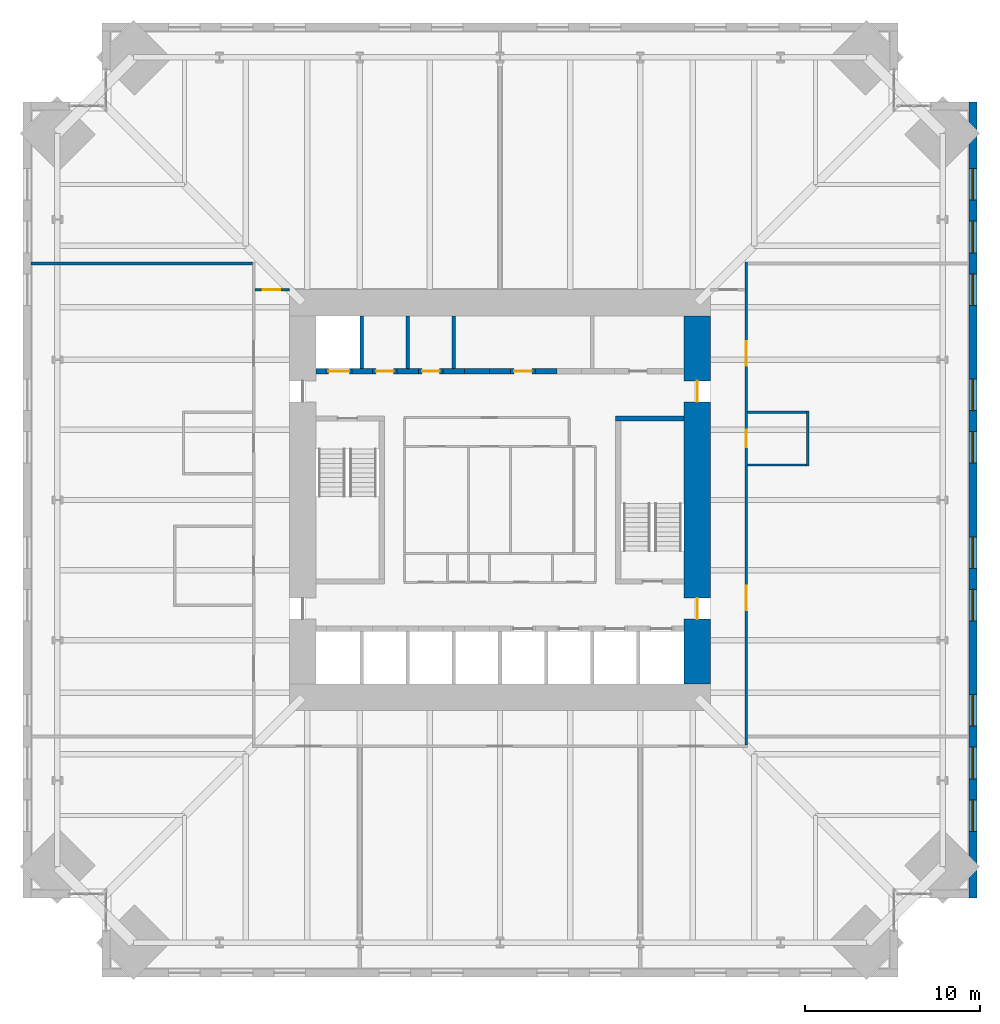
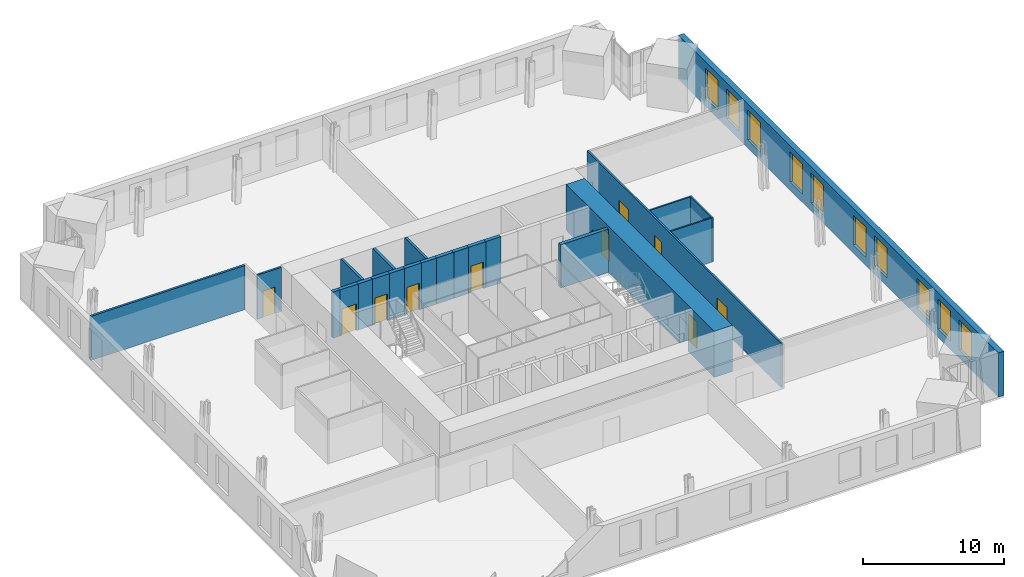
# One storey, part 14 of 16: 23 walls, 10 doors, 10 windows, 20 openings.
"""IFC4 building model written with IfcOpenShell, lengths in metres."""

from ifc_helpers import new_model, si_unit, direction, frame, frame_2d, origin, place, context, subcontext, project, spatial, rectangle, extrude, material, layer, layer_set, type_object, element, fill, save


model = new_model("IFC4")

# Units and contexts
model_context = context("Model", 3, precision=1e-05, world=origin(), true_north=direction((0.0, 1.0)))
body_context = subcontext(model_context, "Body", "Model", "MODEL_VIEW")
ifc_project = project(units=[si_unit("LENGTHUNIT", "METRE"), si_unit("AREAUNIT", "SQUARE_METRE"), si_unit("VOLUMEUNIT", "CUBIC_METRE"), si_unit("PLANEANGLEUNIT", "RADIAN"), si_unit("MASSUNIT", "GRAM", prefix="KILO")], contexts=[model_context])

# Site, building, storey
site_placement = place(None, origin())
site = spatial("IfcSite", under=ifc_project, at=site_placement, CompositionType="ELEMENT")
building_placement = place(site_placement, origin())
building = spatial("IfcBuilding", under=site, at=building_placement, Name="Peilmerk Tower", CompositionType="ELEMENT")
storey_placement = place(building_placement, frame((0.0, 0.0, 139.800048828125)))
storey = spatial("IfcBuildingStorey", under=building, at=storey_placement, Name="L28", CompositionType="ELEMENT", Elevation=139.800048828125)

# Wall, openings, windows
ifc_material_1 = material(Name="Precast concrete C45/55, board-marked finish", Category="concrete")
ifc_layer_1 = layer(ifc_material_1, 0.449951171875)
ifc_layer_set_1 = layer_set([ifc_layer_1], Name="Precast concrete C45/55, board-marked finish")
wall_type_1 = type_object("IfcWallType", Name="EW1 450 precast concrete facade wall, board-marked", PredefinedType="SOLIDWALL", material=ifc_layer_set_1)
wall_1_placement = place(storey_placement, frame((26.97509765625, -22.699951171875, 0.0), z_axis=(0.0, 0.0, 1.0), x_axis=(0.0, 1.0, 0.0)))
wall_1 = element("IfcWall", 1, at=wall_1_placement, inside=storey, type_object=wall_type_1, Name="Facade wall E L28", PredefinedType="SOLIDWALL", context=body_context, shape_type="SweptSolid", body=[
    extrude(rectangle(XDim=45.39990234375, YDim=0.449951171875, at=frame_2d((22.699951171875, 0.0))), origin(), (0.0, 0.0, 1.0), 3.829833984375),
])
opening_1_placement = place(wall_1_placement, frame((3.800048828125, 0.0, 0.699951171875)))
opening_1 = element("IfcOpeningElement", 2, at=opening_1_placement, cuts=wall_1, Name="Opening W1", PredefinedType="OPENING", context=body_context, shape_type="SweptSolid", body=[
    extrude(rectangle(XDim=1.800048828125, YDim=2.60009765625, at=frame_2d((0.89990234375, 1.300048828125))), frame((0.0, 0.23486328125, 0.0), z_axis=(0.0, -1.0, 0.0), x_axis=(1.0, 0.0, 0.0)), (0.0, 0.0, 1.0), 0.469970703125),
])
opening_2_placement = place(wall_1_placement, frame((6.800048828125, 0.0, 0.699951171875)))
opening_2 = element("IfcOpeningElement", 3, at=opening_2_placement, cuts=wall_1, Name="Opening W1", PredefinedType="OPENING", context=body_context, shape_type="SweptSolid", body=[
    extrude(rectangle(XDim=1.800048828125, YDim=2.60009765625, at=frame_2d((0.89990234375, 1.300048828125))), frame((0.0, 0.23486328125, 0.0), z_axis=(0.0, -1.0, 0.0), x_axis=(1.0, 0.0, 0.0)), (0.0, 0.0, 1.0), 0.469970703125),
])
opening_3_placement = place(wall_1_placement, frame((9.800048828125, 0.0, 0.699951171875)))
opening_3 = element("IfcOpeningElement", 4, at=opening_3_placement, cuts=wall_1, Name="Opening W1", PredefinedType="OPENING", context=body_context, shape_type="SweptSolid", body=[
    extrude(rectangle(XDim=1.800048828125, YDim=2.60009765625, at=frame_2d((0.89990234375, 1.300048828125))), frame((0.0, 0.23486328125, 0.0), z_axis=(0.0, -1.0, 0.0), x_axis=(1.0, 0.0, 0.0)), (0.0, 0.0, 1.0), 0.469970703125),
])
opening_4_placement = place(wall_1_placement, frame((15.800048828125, 0.0, 0.699951171875)))
opening_4 = element("IfcOpeningElement", 5, at=opening_4_placement, cuts=wall_1, Name="Opening W1", PredefinedType="OPENING", context=body_context, shape_type="SweptSolid", body=[
    extrude(rectangle(XDim=1.800048828125, YDim=2.60009765625, at=frame_2d((0.89990234375, 1.300048828125))), frame((0.0, 0.23486328125, 0.0), z_axis=(0.0, -1.0, 0.0), x_axis=(1.0, 0.0, 0.0)), (0.0, 0.0, 1.0), 0.469970703125),
])
opening_5_placement = place(wall_1_placement, frame((18.800048828125, 0.0, 0.699951171875)))
opening_5 = element("IfcOpeningElement", 6, at=opening_5_placement, cuts=wall_1, Name="Opening W1", PredefinedType="OPENING", context=body_context, shape_type="SweptSolid", body=[
    extrude(rectangle(XDim=1.800048828125, YDim=2.60009765625, at=frame_2d((0.89990234375, 1.300048828125))), frame((0.0, 0.23486328125, 0.0), z_axis=(0.0, -1.0, 0.0), x_axis=(1.0, 0.0, 0.0)), (0.0, 0.0, 1.0), 0.469970703125),
])
opening_6_placement = place(wall_1_placement, frame((24.800048828125, 0.0, 0.699951171875)))
opening_6 = element("IfcOpeningElement", 7, at=opening_6_placement, cuts=wall_1, Name="Opening W1", PredefinedType="OPENING", context=body_context, shape_type="SweptSolid", body=[
    extrude(rectangle(XDim=1.800048828125, YDim=2.60009765625, at=frame_2d((0.89990234375, 1.300048828125))), frame((0.0, 0.23486328125, 0.0), z_axis=(0.0, -1.0, 0.0), x_axis=(1.0, 0.0, 0.0)), (0.0, 0.0, 1.0), 0.469970703125),
])
opening_7_placement = place(wall_1_placement, frame((27.800048828125, 0.0, 0.699951171875)))
opening_7 = element("IfcOpeningElement", 8, at=opening_7_placement, cuts=wall_1, Name="Opening W1", PredefinedType="OPENING", context=body_context, shape_type="SweptSolid", body=[
    extrude(rectangle(XDim=1.800048828125, YDim=2.60009765625, at=frame_2d((0.89990234375, 1.300048828125))), frame((0.0, 0.23486328125, 0.0), z_axis=(0.0, -1.0, 0.0), x_axis=(1.0, 0.0, 0.0)), (0.0, 0.0, 1.0), 0.469970703125),
])
opening_8_placement = place(wall_1_placement, frame((33.800048828125, 0.0, 0.699951171875)))
opening_8 = element("IfcOpeningElement", 9, at=opening_8_placement, cuts=wall_1, Name="Opening W1", PredefinedType="OPENING", context=body_context, shape_type="SweptSolid", body=[
    extrude(rectangle(XDim=1.800048828125, YDim=2.60009765625, at=frame_2d((0.89990234375, 1.300048828125))), frame((0.0, 0.23486328125, 0.0), z_axis=(0.0, -1.0, 0.0), x_axis=(1.0, 0.0, 0.0)), (0.0, 0.0, 1.0), 0.469970703125),
])
opening_9_placement = place(wall_1_placement, frame((36.800048828125, 0.0, 0.699951171875)))
opening_9 = element("IfcOpeningElement", 10, at=opening_9_placement, cuts=wall_1, Name="Opening W1", PredefinedType="OPENING", context=body_context, shape_type="SweptSolid", body=[
    extrude(rectangle(XDim=1.800048828125, YDim=2.60009765625, at=frame_2d((0.89990234375, 1.300048828125))), frame((0.0, 0.23486328125, 0.0), z_axis=(0.0, -1.0, 0.0), x_axis=(1.0, 0.0, 0.0)), (0.0, 0.0, 1.0), 0.469970703125),
])
opening_10_placement = place(wall_1_placement, frame((39.800048828125, 0.0, 0.699951171875)))
opening_10 = element("IfcOpeningElement", 11, at=opening_10_placement, cuts=wall_1, Name="Opening W1", PredefinedType="OPENING", context=body_context, shape_type="SweptSolid", body=[
    extrude(rectangle(XDim=1.800048828125, YDim=2.60009765625, at=frame_2d((0.89990234375, 1.300048828125))), frame((0.0, 0.23486328125, 0.0), z_axis=(0.0, -1.0, 0.0), x_axis=(1.0, 0.0, 0.0)), (0.0, 0.0, 1.0), 0.469970703125),
])
ifc_material_2 = material(Name="Aluminium frame, clear double glazing", Category="aluminium")
window_type = type_object("IfcWindowType", Name="W1 1800x2600 office window", PartitioningType="SINGLE_PANEL", PredefinedType="WINDOW", material=ifc_material_2)
window_1_placement = place(opening_1_placement, origin())
window_1 = element("IfcWindow", 12, at=window_1_placement, inside=storey, type_object=window_type, Name="Window W1 L28", OverallHeight=2.60009765625, OverallWidth=1.800048828125, PartitioningType="SINGLE_PANEL", PredefinedType="WINDOW", context=body_context, shape_type="SweptSolid", body=[
    extrude(rectangle(XDim=1.800048828125, YDim=2.60009765625, at=frame_2d((0.89990234375, 1.300048828125))), frame((0.0, 0.030029296875, 0.0), z_axis=(0.0, -1.0, 0.0), x_axis=(1.0, 0.0, 0.0)), (0.0, 0.0, 1.0), 0.06005859375),
])
fill(opening_1, window_1)
window_2_placement = place(opening_2_placement, origin())
window_2 = element("IfcWindow", 13, at=window_2_placement, inside=storey, type_object=window_type, Name="Window W1 L28", OverallHeight=2.60009765625, OverallWidth=1.800048828125, PartitioningType="SINGLE_PANEL", PredefinedType="WINDOW", context=body_context, shape_type="SweptSolid", body=[
    extrude(rectangle(XDim=1.800048828125, YDim=2.60009765625, at=frame_2d((0.89990234375, 1.300048828125))), frame((0.0, 0.030029296875, 0.0), z_axis=(0.0, -1.0, 0.0), x_axis=(1.0, 0.0, 0.0)), (0.0, 0.0, 1.0), 0.06005859375),
])
fill(opening_2, window_2)
window_3_placement = place(opening_3_placement, origin())
window_3 = element("IfcWindow", 14, at=window_3_placement, inside=storey, type_object=window_type, Name="Window W1 L28", OverallHeight=2.60009765625, OverallWidth=1.800048828125, PartitioningType="SINGLE_PANEL", PredefinedType="WINDOW", context=body_context, shape_type="SweptSolid", body=[
    extrude(rectangle(XDim=1.800048828125, YDim=2.60009765625, at=frame_2d((0.89990234375, 1.300048828125))), frame((0.0, 0.030029296875, 0.0), z_axis=(0.0, -1.0, 0.0), x_axis=(1.0, 0.0, 0.0)), (0.0, 0.0, 1.0), 0.06005859375),
])
fill(opening_3, window_3)
window_4_placement = place(opening_4_placement, origin())
window_4 = element("IfcWindow", 15, at=window_4_placement, inside=storey, type_object=window_type, Name="Window W1 L28", OverallHeight=2.60009765625, OverallWidth=1.800048828125, PartitioningType="SINGLE_PANEL", PredefinedType="WINDOW", context=body_context, shape_type="SweptSolid", body=[
    extrude(rectangle(XDim=1.800048828125, YDim=2.60009765625, at=frame_2d((0.89990234375, 1.300048828125))), frame((0.0, 0.030029296875, 0.0), z_axis=(0.0, -1.0, 0.0), x_axis=(1.0, 0.0, 0.0)), (0.0, 0.0, 1.0), 0.06005859375),
])
fill(opening_4, window_4)
window_5_placement = place(opening_5_placement, origin())
window_5 = element("IfcWindow", 16, at=window_5_placement, inside=storey, type_object=window_type, Name="Window W1 L28", OverallHeight=2.60009765625, OverallWidth=1.800048828125, PartitioningType="SINGLE_PANEL", PredefinedType="WINDOW", context=body_context, shape_type="SweptSolid", body=[
    extrude(rectangle(XDim=1.800048828125, YDim=2.60009765625, at=frame_2d((0.89990234375, 1.300048828125))), frame((0.0, 0.030029296875, 0.0), z_axis=(0.0, -1.0, 0.0), x_axis=(1.0, 0.0, 0.0)), (0.0, 0.0, 1.0), 0.06005859375),
])
fill(opening_5, window_5)
window_6_placement = place(opening_6_placement, origin())
window_6 = element("IfcWindow", 17, at=window_6_placement, inside=storey, type_object=window_type, Name="Window W1 L28", OverallHeight=2.60009765625, OverallWidth=1.800048828125, PartitioningType="SINGLE_PANEL", PredefinedType="WINDOW", context=body_context, shape_type="SweptSolid", body=[
    extrude(rectangle(XDim=1.800048828125, YDim=2.60009765625, at=frame_2d((0.89990234375, 1.300048828125))), frame((0.0, 0.030029296875, 0.0), z_axis=(0.0, -1.0, 0.0), x_axis=(1.0, 0.0, 0.0)), (0.0, 0.0, 1.0), 0.06005859375),
])
fill(opening_6, window_6)
window_7_placement = place(opening_7_placement, origin())
window_7 = element("IfcWindow", 18, at=window_7_placement, inside=storey, type_object=window_type, Name="Window W1 L28", OverallHeight=2.60009765625, OverallWidth=1.800048828125, PartitioningType="SINGLE_PANEL", PredefinedType="WINDOW", context=body_context, shape_type="SweptSolid", body=[
    extrude(rectangle(XDim=1.800048828125, YDim=2.60009765625, at=frame_2d((0.89990234375, 1.300048828125))), frame((0.0, 0.030029296875, 0.0), z_axis=(0.0, -1.0, 0.0), x_axis=(1.0, 0.0, 0.0)), (0.0, 0.0, 1.0), 0.06005859375),
])
fill(opening_7, window_7)
window_8_placement = place(opening_8_placement, origin())
window_8 = element("IfcWindow", 19, at=window_8_placement, inside=storey, type_object=window_type, Name="Window W1 L28", OverallHeight=2.60009765625, OverallWidth=1.800048828125, PartitioningType="SINGLE_PANEL", PredefinedType="WINDOW", context=body_context, shape_type="SweptSolid", body=[
    extrude(rectangle(XDim=1.800048828125, YDim=2.60009765625, at=frame_2d((0.89990234375, 1.300048828125))), frame((0.0, 0.030029296875, 0.0), z_axis=(0.0, -1.0, 0.0), x_axis=(1.0, 0.0, 0.0)), (0.0, 0.0, 1.0), 0.06005859375),
])
fill(opening_8, window_8)
window_9_placement = place(opening_9_placement, origin())
window_9 = element("IfcWindow", 20, at=window_9_placement, inside=storey, type_object=window_type, Name="Window W1 L28", OverallHeight=2.60009765625, OverallWidth=1.800048828125, PartitioningType="SINGLE_PANEL", PredefinedType="WINDOW", context=body_context, shape_type="SweptSolid", body=[
    extrude(rectangle(XDim=1.800048828125, YDim=2.60009765625, at=frame_2d((0.89990234375, 1.300048828125))), frame((0.0, 0.030029296875, 0.0), z_axis=(0.0, -1.0, 0.0), x_axis=(1.0, 0.0, 0.0)), (0.0, 0.0, 1.0), 0.06005859375),
])
fill(opening_9, window_9)
window_10_placement = place(opening_10_placement, origin())
window_10 = element("IfcWindow", 21, at=window_10_placement, inside=storey, type_object=window_type, Name="Window W1 L28", OverallHeight=2.60009765625, OverallWidth=1.800048828125, PartitioningType="SINGLE_PANEL", PredefinedType="WINDOW", context=body_context, shape_type="SweptSolid", body=[
    extrude(rectangle(XDim=1.800048828125, YDim=2.60009765625, at=frame_2d((0.89990234375, 1.300048828125))), frame((0.0, 0.030029296875, 0.0), z_axis=(0.0, -1.0, 0.0), x_axis=(1.0, 0.0, 0.0)), (0.0, 0.0, 1.0), 0.06005859375),
])
fill(opening_10, window_10)

# Wall, openings, doors
ifc_material_3 = material(Name="Calcium silicate block", Category="masonry")
ifc_layer_2 = layer(ifc_material_3, 0.14990234375)
ifc_layer_set_2 = layer_set([ifc_layer_2], Name="Calcium silicate block")
wall_type_2 = type_object("IfcWallType", Name="IW1 150 corridor partition, EI 60", PredefinedType="PARTITIONING", material=ifc_layer_set_2)
wall_2_placement = place(storey_placement, frame((14.050048828125, -13.97509765625, 0.0), z_axis=(0.0, 0.0, 1.0), x_axis=(0.0, 1.0, 0.0)))
wall_2 = element("IfcWall", 22, at=wall_2_placement, inside=storey, type_object=wall_type_2, Name="Corridor wall E L28", PredefinedType="PARTITIONING", context=body_context, shape_type="SweptSolid", body=[
    extrude(rectangle(XDim=27.550048828125, YDim=0.14990234375, at=frame_2d((13.77490234375, 0.0))), origin(), (0.0, 0.0, 1.0), 3.829833984375),
])
opening_11_placement = place(wall_2_placement, frame((7.675048828125, 0.0, 0.0)))
opening_11 = element("IfcOpeningElement", 23, at=opening_11_placement, cuts=wall_2, Name="Opening D8", PredefinedType="OPENING", context=body_context, shape_type="SweptSolid", body=[
    extrude(rectangle(XDim=1.39990234375, YDim=2.300048828125, at=frame_2d((0.699951171875, 1.14990234375))), frame((0.0, 0.0849609375, 0.0), z_axis=(0.0, -1.0, 0.0), x_axis=(1.0, 0.0, 0.0)), (0.0, 0.0, 1.0), 0.169921875),
])
opening_12_placement = place(wall_2_placement, frame((21.625, 0.0, 0.0)))
opening_12 = element("IfcOpeningElement", 24, at=opening_12_placement, cuts=wall_2, Name="Opening D8", PredefinedType="OPENING", context=body_context, shape_type="SweptSolid", body=[
    extrude(rectangle(XDim=1.39990234375, YDim=2.300048828125, at=frame_2d((0.699951171875, 1.14990234375))), frame((0.0, 0.0849609375, 0.0), z_axis=(0.0, -1.0, 0.0), x_axis=(1.0, 0.0, 0.0)), (0.0, 0.0, 1.0), 0.169921875),
])
opening_13_placement = place(wall_2_placement, frame((16.97509765625, 0.0, 0.0)))
opening_13 = element("IfcOpeningElement", 25, at=opening_13_placement, cuts=wall_2, Name="Opening D1", PredefinedType="OPENING", context=body_context, shape_type="SweptSolid", body=[
    extrude(rectangle(XDim=1.0, YDim=2.300048828125, at=frame_2d((0.5, 1.14990234375))), frame((0.0, 0.0849609375, 0.0), z_axis=(0.0, -1.0, 0.0), x_axis=(1.0, 0.0, 0.0)), (0.0, 0.0, 1.0), 0.169921875),
])
ifc_material_4 = material(Name="Timber door in steel frame", Category="steel")
door_type_1 = type_object("IfcDoorType", Name="D1 1000x2300 room door, EI2 30", OperationType="SINGLE_SWING_LEFT", PredefinedType="DOOR", material=ifc_material_4)
door_1_placement = place(opening_13_placement, frame((1.0, 0.0, 0.0), z_axis=(0.0, 0.0, 1.0), x_axis=(-1.0, 0.0, 0.0)))
door_1 = element("IfcDoor", 26, at=door_1_placement, inside=storey, type_object=door_type_1, Name="Door Focus room L28", OperationType="SINGLE_SWING_LEFT", OverallHeight=2.300048828125, OverallWidth=1.0, PredefinedType="DOOR", context=body_context, shape_type="SweptSolid", body=[
    extrude(rectangle(XDim=1.0, YDim=2.300048828125, at=frame_2d((0.5, 1.14990234375))), frame((0.0, 0.02490234375, 0.0), z_axis=(0.0, -1.0, 0.0), x_axis=(1.0, 0.0, 0.0)), (0.0, 0.0, 1.0), 0.050048828125),
])
fill(opening_13, door_1)
door_type_2 = type_object("IfcDoorType", Name="D8 1400x2300 leaf-and-a-half door, EI2 30", OperationType="DOUBLE_DOOR_SINGLE_SWING", PredefinedType="DOOR", material=ifc_material_4)
door_2_placement = place(opening_11_placement, frame((1.39990234375, 0.0, 0.0), z_axis=(0.0, 0.0, 1.0), x_axis=(-1.0, 0.0, 0.0)))
door_2 = element("IfcDoor", 27, at=door_2_placement, inside=storey, type_object=door_type_2, Name="Door Tenant suite L28", OperationType="DOUBLE_DOOR_SINGLE_SWING", OverallHeight=2.300048828125, OverallWidth=1.39990234375, PredefinedType="DOOR", context=body_context, shape_type="SweptSolid", body=[
    extrude(rectangle(XDim=1.39990234375, YDim=2.300048828125, at=frame_2d((0.699951171875, 1.14990234375))), frame((0.0, 0.02490234375, 0.0), z_axis=(0.0, -1.0, 0.0), x_axis=(1.0, 0.0, 0.0)), (0.0, 0.0, 1.0), 0.050048828125),
])
fill(opening_11, door_2)
door_3_placement = place(opening_12_placement, frame((1.39990234375, 0.0, 0.0), z_axis=(0.0, 0.0, 1.0), x_axis=(-1.0, 0.0, 0.0)))
door_3 = element("IfcDoor", 28, at=door_3_placement, inside=storey, type_object=door_type_2, Name="Door Tenant suite L28", OperationType="DOUBLE_DOOR_SINGLE_SWING", OverallHeight=2.300048828125, OverallWidth=1.39990234375, PredefinedType="DOOR", context=body_context, shape_type="SweptSolid", body=[
    extrude(rectangle(XDim=1.39990234375, YDim=2.300048828125, at=frame_2d((0.699951171875, 1.14990234375))), frame((0.0, 0.02490234375, 0.0), z_axis=(0.0, -1.0, 0.0), x_axis=(1.0, 0.0, 0.0)), (0.0, 0.0, 1.0), 0.050048828125),
])
fill(opening_12, door_3)

# Wall, opening, door
wall_3_placement = place(storey_placement, frame((-13.97509765625, 12.0, 0.0), z_axis=(0.0, 0.0, 1.0), x_axis=(1.0, 0.0, 0.0)))
wall_3 = element("IfcWall", 29, at=wall_3_placement, inside=storey, type_object=wall_type_2, Name="Corridor wall NW L28", PredefinedType="PARTITIONING", context=body_context, shape_type="SweptSolid", body=[
    extrude(rectangle(XDim=1.97509765625, YDim=0.14990234375, at=frame_2d((0.987548828125, 0.0))), origin(), (0.0, 0.0, 1.0), 3.829833984375),
])
opening_14_placement = place(wall_3_placement, frame((0.449951171875, 0.0, 0.0)))
opening_14 = element("IfcOpeningElement", 30, at=opening_14_placement, cuts=wall_3, Name="Opening D1", PredefinedType="OPENING", context=body_context, shape_type="SweptSolid", body=[
    extrude(rectangle(XDim=1.0, YDim=2.300048828125, at=frame_2d((0.5, 1.14990234375))), frame((0.0, 0.0849609375, 0.0), z_axis=(0.0, -1.0, 0.0), x_axis=(1.0, 0.0, 0.0)), (0.0, 0.0, 1.0), 0.169921875),
])
door_4_placement = place(opening_14_placement, origin())
door_4 = element("IfcDoor", 31, at=door_4_placement, inside=storey, type_object=door_type_1, Name="Door Tenant suite L28", OperationType="SINGLE_SWING_LEFT", OverallHeight=2.300048828125, OverallWidth=1.0, PredefinedType="DOOR", context=body_context, shape_type="SweptSolid", body=[
    extrude(rectangle(XDim=1.0, YDim=2.300048828125, at=frame_2d((0.5, 1.14990234375))), frame((0.0, 0.02490234375, 0.0), z_axis=(0.0, -1.0, 0.0), x_axis=(1.0, 0.0, 0.0)), (0.0, 0.0, 1.0), 0.050048828125),
])
fill(opening_14, door_4)

# Walls
ifc_material_5 = material(Name="Concrete C35/45", Category="concrete")
ifc_layer_3 = layer(ifc_material_5, 0.300048828125)
ifc_layer_set_3 = layer_set([ifc_layer_3], Name="Concrete C35/45")
wall_type_3 = type_object("IfcWallType", Name="IW3 300 concrete stair enclosure wall, EI 120", PredefinedType="SOLIDWALL", material=ifc_layer_set_3)
wall_4_placement = place(storey_placement, frame((6.60009765625, 4.64990234375, 0.0), z_axis=(0.0, 0.0, 1.0), x_axis=(1.0, 0.0, 0.0)))
element("IfcWall", 32, at=wall_4_placement, inside=storey, type_object=wall_type_3, Name="Stair 2 enclosure L28", PredefinedType="SOLIDWALL", context=body_context, shape_type="SweptSolid", body=[
    extrude(rectangle(XDim=3.89990234375, YDim=0.300048828125, at=frame_2d((1.949951171875, 0.0))), origin(), (0.0, 0.0, 1.0), 3.75),
])
ifc_material_6 = material(Name="Plasterboard on steel studs, double boarded with mineral wool", Category="steel")
ifc_layer_4 = layer(ifc_material_6, 0.125)
ifc_layer_set_4 = layer_set([ifc_layer_4], Name="Plasterboard on steel studs, double boarded with mineral wool")
wall_type_4 = type_object("IfcWallType", Name="IW7 125 acoustic partition, EI 30", PredefinedType="PARTITIONING", material=ifc_layer_set_4)
wall_5_placement = place(storey_placement, frame((17.550048828125, 1.9375, 0.0), z_axis=(0.0, 0.0, 1.0), x_axis=(0.0, 1.0, 0.0)))
element("IfcWall", 33, at=wall_5_placement, inside=storey, type_object=wall_type_4, Name="Acoustic partition Focus room L28", PredefinedType="PARTITIONING", context=body_context, shape_type="SweptSolid", body=[
    extrude(rectangle(XDim=3.125, YDim=0.125, at=frame_2d((1.5625, 0.0))), origin(), (0.0, 0.0, 1.0), 3.829833984375),
])
for number, where, z_axis, x_axis, name in (
    (34, (14.125, 2.0, 0.0), (0.0, 0.0, 1.0), (1.0, 0.0, 0.0), "Acoustic partition Focus room L28"),
    (35, (14.125, 5.0, 0.0), (0.0, 0.0, 1.0), (1.0, 0.0, 0.0), "Acoustic partition Focus room L28"),
):
    element("IfcWall", number, at=place(storey_placement, frame(where, z_axis=z_axis, x_axis=x_axis)), inside=storey, type_object=wall_type_4, Name=name, PredefinedType="PARTITIONING", context=body_context, shape_type="SweptSolid", body=[
        extrude(rectangle(XDim=3.362548828125, YDim=0.125, at=frame_2d((1.68115234375, 0.0))), origin(), (0.0, 0.0, 1.0), 3.829833984375),
    ])
ifc_layer_5 = layer(ifc_material_3, 0.175048828125)
ifc_layer_set_5 = layer_set([ifc_layer_5], Name="Calcium silicate block")
wall_type_5 = type_object("IfcWallType", Name="IW8 175 tenant separating wall, EI 60", PredefinedType="PARTITIONING", material=ifc_layer_set_5)
wall_6_placement = place(storey_placement, frame((-26.75, 13.5, 0.0), z_axis=(0.0, 0.0, 1.0), x_axis=(1.0, 0.0, 0.0)))
element("IfcWall", 36, at=wall_6_placement, inside=storey, type_object=wall_type_5, Name="Tenant separating wall NW L28", PredefinedType="PARTITIONING", context=body_context, shape_type="SweptSolid", body=[
    extrude(rectangle(XDim=12.625, YDim=0.175048828125, at=frame_2d((6.3125, 0.0))), origin(), (0.0, 0.0, 1.0), 3.829833984375),
])
ifc_layer_6 = layer(ifc_material_3, 0.199951171875)
ifc_layer_set_6 = layer_set([ifc_layer_6], Name="Calcium silicate block")
wall_type_6 = type_object("IfcWallType", Name="SH1 200 shaft dividing wall, EI 120", PredefinedType="PARTITIONING", material=ifc_layer_set_6)
for number, where, z_axis, x_axis, name in (
    (37, (-7.875, 7.5, 0.0), (0.0, 0.0, 1.0), (0.0, 1.0, 0.0), "Shaft wall N FL1 L28"),
    (38, (-5.25, 7.5, 0.0), (0.0, 0.0, 1.0), (0.0, 1.0, 0.0), "Shaft wall N A1 L28"),
    (39, (-2.625, 7.5, 0.0), (0.0, 0.0, 1.0), (0.0, 1.0, 0.0), "Shaft wall N A2 L28"),
):
    element("IfcWall", number, at=place(storey_placement, frame(where, z_axis=z_axis, x_axis=x_axis)), inside=storey, type_object=wall_type_6, Name=name, PredefinedType="PARTITIONING", context=body_context, shape_type="SweptSolid", body=[
        extrude(rectangle(XDim=3.0, YDim=0.199951171875, at=frame_2d((1.5, 0.0))), origin(), (0.0, 0.0, 1.0), 4.0),
    ])

# Wall, opening, door
ifc_layer_7 = layer(ifc_material_3, 0.300048828125)
ifc_layer_set_7 = layer_set([ifc_layer_7], Name="Calcium silicate block")
wall_type_7 = type_object("IfcWallType", Name="SH2 300 lift landing door panel, EI 120", PredefinedType="PARTITIONING", material=ifc_layer_set_7)
wall_7_placement = place(storey_placement, frame((-9.9375, 7.35009765625, 0.0), z_axis=(0.0, 0.0, 1.0), x_axis=(1.0, 0.0, 0.0)))
wall_7 = element("IfcWall", 40, at=wall_7_placement, inside=storey, type_object=wall_type_7, Name="Lift door panel N FL1 L28", PredefinedType="PARTITIONING", context=body_context, shape_type="SweptSolid", body=[
    extrude(rectangle(XDim=1.5, YDim=0.300048828125, at=frame_2d((0.75, 0.0))), origin(), (0.0, 0.0, 1.0), 4.0),
])
opening_15_placement = place(wall_7_placement, frame((0.14990234375, 0.0, 0.0)))
opening_15 = element("IfcOpeningElement", 41, at=opening_15_placement, cuts=wall_7, Name="Opening LD2", PredefinedType="OPENING", context=body_context, shape_type="SweptSolid", body=[
    extrude(rectangle(XDim=1.199951171875, YDim=2.300048828125, at=frame_2d((0.60009765625, 1.14990234375))), frame((0.0, 0.159912109375, 0.0), z_axis=(0.0, -1.0, 0.0), x_axis=(1.0, 0.0, 0.0)), (0.0, 0.0, 1.0), 0.320068359375),
])
ifc_material_7 = material(Name="Stainless steel landing door", Category="steel")
door_type_3 = type_object("IfcDoorType", Name="LD2 1200x2300 lift landing door, sliding, EI2 60", OperationType="SLIDING_TO_LEFT", PredefinedType="DOOR", material=ifc_material_7)
door_5_placement = place(opening_15_placement, frame((1.199951171875, 0.0, 0.0), z_axis=(0.0, 0.0, 1.0), x_axis=(-1.0, 0.0, 0.0)))
door_5 = element("IfcDoor", 42, at=door_5_placement, inside=storey, type_object=door_type_3, Name="Lift landing door FL1 L28", OperationType="SLIDING_TO_LEFT", OverallHeight=2.300048828125, OverallWidth=1.199951171875, PredefinedType="DOOR", context=body_context, shape_type="SweptSolid", body=[
    extrude(rectangle(XDim=1.199951171875, YDim=2.300048828125, at=frame_2d((0.60009765625, 1.14990234375))), frame((0.0, 0.02490234375, 0.0), z_axis=(0.0, -1.0, 0.0), x_axis=(1.0, 0.0, 0.0)), (0.0, 0.0, 1.0), 0.050048828125),
])
fill(opening_15, door_5)

wall_8_placement = place(storey_placement, frame((-7.262451171875, 7.35009765625, 0.0), z_axis=(0.0, 0.0, 1.0), x_axis=(1.0, 0.0, 0.0)))
wall_8 = element("IfcWall", 43, at=wall_8_placement, inside=storey, type_object=wall_type_7, Name="Lift door panel N A1 L28", PredefinedType="PARTITIONING", context=body_context, shape_type="SweptSolid", body=[
    extrude(rectangle(XDim=1.39990234375, YDim=0.300048828125, at=frame_2d((0.699951171875, 0.0))), origin(), (0.0, 0.0, 1.0), 4.0),
])
opening_16_placement = place(wall_8_placement, frame((0.199951171875, 0.0, 0.0)))
opening_16 = element("IfcOpeningElement", 44, at=opening_16_placement, cuts=wall_8, Name="Opening D10", PredefinedType="OPENING", context=body_context, shape_type="SweptSolid", body=[
    extrude(rectangle(XDim=1.0, YDim=2.300048828125, at=frame_2d((0.5, 1.14990234375))), frame((0.0, 0.159912109375, 0.0), z_axis=(0.0, -1.0, 0.0), x_axis=(1.0, 0.0, 0.0)), (0.0, 0.0, 1.0), 0.320068359375),
])
ifc_material_8 = material(Name="Steel door in steel frame", Category="steel")
door_type_4 = type_object("IfcDoorType", Name="D10 1000x2300 core room door, EI2 60", OperationType="SINGLE_SWING_RIGHT", PredefinedType="DOOR", material=ifc_material_8)
door_6_placement = place(opening_16_placement, origin())
door_6 = element("IfcDoor", 45, at=door_6_placement, inside=storey, type_object=door_type_4, Name="Door Staff WC L28", OperationType="SINGLE_SWING_RIGHT", OverallHeight=2.300048828125, OverallWidth=1.0, PredefinedType="DOOR", context=body_context, shape_type="SweptSolid", body=[
    extrude(rectangle(XDim=1.0, YDim=2.300048828125, at=frame_2d((0.5, 1.14990234375))), frame((0.0, 0.02490234375, 0.0), z_axis=(0.0, -1.0, 0.0), x_axis=(1.0, 0.0, 0.0)), (0.0, 0.0, 1.0), 0.050048828125),
])
fill(opening_16, door_6)

wall_9_placement = place(storey_placement, frame((-4.637451171875, 7.35009765625, 0.0), z_axis=(0.0, 0.0, 1.0), x_axis=(1.0, 0.0, 0.0)))
wall_9 = element("IfcWall", 46, at=wall_9_placement, inside=storey, type_object=wall_type_7, Name="Lift door panel N A2 L28", PredefinedType="PARTITIONING", context=body_context, shape_type="SweptSolid", body=[
    extrude(rectangle(XDim=1.39990234375, YDim=0.300048828125, at=frame_2d((0.699951171875, 0.0))), origin(), (0.0, 0.0, 1.0), 4.0),
])
opening_17_placement = place(wall_9_placement, frame((0.199951171875, 0.0, 0.0)))
opening_17 = element("IfcOpeningElement", 47, at=opening_17_placement, cuts=wall_9, Name="Opening D10", PredefinedType="OPENING", context=body_context, shape_type="SweptSolid", body=[
    extrude(rectangle(XDim=1.0, YDim=2.300048828125, at=frame_2d((0.5, 1.14990234375))), frame((0.0, 0.159912109375, 0.0), z_axis=(0.0, -1.0, 0.0), x_axis=(1.0, 0.0, 0.0)), (0.0, 0.0, 1.0), 0.320068359375),
])
door_7_placement = place(opening_17_placement, origin())
door_7 = element("IfcDoor", 48, at=door_7_placement, inside=storey, type_object=door_type_4, Name="Door Electrical room L28", OperationType="SINGLE_SWING_RIGHT", OverallHeight=2.300048828125, OverallWidth=1.0, PredefinedType="DOOR", context=body_context, shape_type="SweptSolid", body=[
    extrude(rectangle(XDim=1.0, YDim=2.300048828125, at=frame_2d((0.5, 1.14990234375))), frame((0.0, 0.02490234375, 0.0), z_axis=(0.0, -1.0, 0.0), x_axis=(1.0, 0.0, 0.0)), (0.0, 0.0, 1.0), 0.050048828125),
])
fill(opening_17, door_7)

# Wall
wall_10_placement = place(storey_placement, frame((-2.012451171875, 7.35009765625, 0.0), z_axis=(0.0, 0.0, 1.0), x_axis=(1.0, 0.0, 0.0)))
element("IfcWall", 49, at=wall_10_placement, inside=storey, type_object=wall_type_7, Name="Lift door panel N A3 L28", PredefinedType="PARTITIONING", context=body_context, shape_type="SweptSolid", body=[
    extrude(rectangle(XDim=1.39990234375, YDim=0.300048828125, at=frame_2d((0.699951171875, 0.0))), origin(), (0.0, 0.0, 1.0), 4.0),
])

# Wall, opening, door
wall_11_placement = place(storey_placement, frame((0.612548828125, 7.35009765625, 0.0), z_axis=(0.0, 0.0, 1.0), x_axis=(1.0, 0.0, 0.0)))
wall_11 = element("IfcWall", 50, at=wall_11_placement, inside=storey, type_object=wall_type_7, Name="Lift door panel N S1 L28", PredefinedType="PARTITIONING", context=body_context, shape_type="SweptSolid", body=[
    extrude(rectangle(XDim=1.39990234375, YDim=0.300048828125, at=frame_2d((0.699951171875, 0.0))), origin(), (0.0, 0.0, 1.0), 4.0),
])
opening_18_placement = place(wall_11_placement, frame((0.199951171875, 0.0, 0.0)))
opening_18 = element("IfcOpeningElement", 51, at=opening_18_placement, cuts=wall_11, Name="Opening D10", PredefinedType="OPENING", context=body_context, shape_type="SweptSolid", body=[
    extrude(rectangle(XDim=1.0, YDim=2.300048828125, at=frame_2d((0.5, 1.14990234375))), frame((0.0, 0.159912109375, 0.0), z_axis=(0.0, -1.0, 0.0), x_axis=(1.0, 0.0, 0.0)), (0.0, 0.0, 1.0), 0.320068359375),
])
door_8_placement = place(opening_18_placement, origin())
door_8 = element("IfcDoor", 52, at=door_8_placement, inside=storey, type_object=door_type_4, Name="Door Plant room L28", OperationType="SINGLE_SWING_RIGHT", OverallHeight=2.300048828125, OverallWidth=1.0, PredefinedType="DOOR", context=body_context, shape_type="SweptSolid", body=[
    extrude(rectangle(XDim=1.0, YDim=2.300048828125, at=frame_2d((0.5, 1.14990234375))), frame((0.0, 0.02490234375, 0.0), z_axis=(0.0, -1.0, 0.0), x_axis=(1.0, 0.0, 0.0)), (0.0, 0.0, 1.0), 0.050048828125),
])
fill(opening_18, door_8)

# Wall, openings, doors
ifc_material_9 = material(Name="Concrete C55/67", Category="concrete")
ifc_layer_8 = layer(ifc_material_9, 1.5)
ifc_layer_set_8 = layer_set([ifc_layer_8], Name="Concrete C55/67")
wall_type_8 = type_object("IfcWallType", Name="SW1 1500 core wall", PredefinedType="SHEAR", material=ifc_layer_set_8)
wall_12_placement = place(storey_placement, frame((11.25, 10.5, 0.0), z_axis=(0.0, 0.0, 1.0), x_axis=(0.0, -1.0, 0.0)))
wall_12 = element("IfcWall", 53, at=wall_12_placement, inside=storey, type_object=wall_type_8, Name="Core wall E L28", PredefinedType="SHEAR", context=body_context, shape_type="SweptSolid", body=[
    extrude(rectangle(XDim=21.0, YDim=1.5, at=frame_2d((10.5, 0.0))), origin(), (0.0, 0.0, 1.0), 4.0),
])
opening_19_placement = place(wall_12_placement, frame((3.699951171875, 0.0, 0.0)))
opening_19 = element("IfcOpeningElement", 54, at=opening_19_placement, cuts=wall_12, Name="Opening D3", PredefinedType="OPENING", context=body_context, shape_type="SweptSolid", body=[
    extrude(rectangle(XDim=1.199951171875, YDim=2.300048828125, at=frame_2d((0.60009765625, 1.14990234375))), frame((0.0, 0.760009765625, 0.0), z_axis=(0.0, -1.0, 0.0), x_axis=(1.0, 0.0, 0.0)), (0.0, 0.0, 1.0), 1.52001953125),
])
opening_20_placement = place(wall_12_placement, frame((16.10009765625, 0.0, 0.0)))
opening_20 = element("IfcOpeningElement", 55, at=opening_20_placement, cuts=wall_12, Name="Opening D3", PredefinedType="OPENING", context=body_context, shape_type="SweptSolid", body=[
    extrude(rectangle(XDim=1.199951171875, YDim=2.300048828125, at=frame_2d((0.60009765625, 1.14990234375))), frame((0.0, 0.760009765625, 0.0), z_axis=(0.0, -1.0, 0.0), x_axis=(1.0, 0.0, 0.0)), (0.0, 0.0, 1.0), 1.52001953125),
])
door_type_5 = type_object("IfcDoorType", Name="D3 1200x2300 core door, EI2 60", OperationType="SINGLE_SWING_LEFT", PredefinedType="DOOR", material=ifc_material_8)
door_9_placement = place(opening_19_placement, frame((1.199951171875, 0.0, 0.0), z_axis=(0.0, 0.0, 1.0), x_axis=(-1.0, 0.0, 0.0)))
door_9 = element("IfcDoor", 56, at=door_9_placement, inside=storey, type_object=door_type_5, Name="Core door L28", OperationType="SINGLE_SWING_LEFT", OverallHeight=2.300048828125, OverallWidth=1.199951171875, PredefinedType="DOOR", context=body_context, shape_type="SweptSolid", body=[
    extrude(rectangle(XDim=1.199951171875, YDim=2.300048828125, at=frame_2d((0.60009765625, 1.14990234375))), frame((0.0, 0.02490234375, 0.0), z_axis=(0.0, -1.0, 0.0), x_axis=(1.0, 0.0, 0.0)), (0.0, 0.0, 1.0), 0.050048828125),
])
fill(opening_19, door_9)
door_10_placement = place(opening_20_placement, frame((1.199951171875, 0.0, 0.0), z_axis=(0.0, 0.0, 1.0), x_axis=(-1.0, 0.0, 0.0)))
door_10 = element("IfcDoor", 57, at=door_10_placement, inside=storey, type_object=door_type_5, Name="Core door L28", OperationType="SINGLE_SWING_LEFT", OverallHeight=2.300048828125, OverallWidth=1.199951171875, PredefinedType="DOOR", context=body_context, shape_type="SweptSolid", body=[
    extrude(rectangle(XDim=1.199951171875, YDim=2.300048828125, at=frame_2d((0.60009765625, 1.14990234375))), frame((0.0, 0.02490234375, 0.0), z_axis=(0.0, -1.0, 0.0), x_axis=(1.0, 0.0, 0.0)), (0.0, 0.0, 1.0), 0.050048828125),
])
fill(opening_20, door_10)

# Walls
ifc_layer_9 = layer(ifc_material_9, 0.300048828125)
ifc_layer_set_9 = layer_set([ifc_layer_9], Name="Concrete C55/67")
wall_type_9 = type_object("IfcWallType", Name="SW2 300 lift bank pier", PredefinedType="SHEAR", material=ifc_layer_set_9)
wall_13_placement = place(storey_placement, frame((-10.5, 7.35009765625, 0.0), z_axis=(0.0, 0.0, 1.0), x_axis=(1.0, 0.0, 0.0)))
element("IfcWall", 58, at=wall_13_placement, inside=storey, type_object=wall_type_9, Name="Lift bank pier N L28", PredefinedType="SHEAR", context=body_context, shape_type="SweptSolid", body=[
    extrude(rectangle(XDim=0.5625, YDim=0.300048828125, at=frame_2d((0.28125, 0.0))), origin(), (0.0, 0.0, 1.0), 4.0),
])
wall_14_placement = place(storey_placement, frame((-8.4375, 7.35009765625, 0.0), z_axis=(0.0, 0.0, 1.0), x_axis=(1.0, 0.0, 0.0)))
element("IfcWall", 59, at=wall_14_placement, inside=storey, type_object=wall_type_9, Name="Lift bank pier N L28", PredefinedType="SHEAR", context=body_context, shape_type="SweptSolid", body=[
    extrude(rectangle(XDim=1.175048828125, YDim=0.300048828125, at=frame_2d((0.58740234375, 0.0))), origin(), (0.0, 0.0, 1.0), 4.0),
])
for number, where, z_axis, x_axis, name in (
    (60, (-5.862548828125, 7.35009765625, 0.0), (0.0, 0.0, 1.0), (1.0, 0.0, 0.0), "Lift bank pier N L28"),
    (61, (-3.237548828125, 7.35009765625, 0.0), (0.0, 0.0, 1.0), (1.0, 0.0, 0.0), "Lift bank pier N L28"),
    (62, (-0.612548828125, 7.35009765625, 0.0), (0.0, 0.0, 1.0), (1.0, 0.0, 0.0), "Lift bank pier N L28"),
    (63, (2.012451171875, 7.35009765625, 0.0), (0.0, 0.0, 1.0), (1.0, 0.0, 0.0), "Lift bank pier N L28"),
):
    element("IfcWall", number, at=place(storey_placement, frame(where, z_axis=z_axis, x_axis=x_axis)), inside=storey, type_object=wall_type_9, Name=name, PredefinedType="SHEAR", context=body_context, shape_type="SweptSolid", body=[
        extrude(rectangle(XDim=1.22509765625, YDim=0.300048828125, at=frame_2d((0.612548828125, 0.0))), origin(), (0.0, 0.0, 1.0), 4.0),
    ])

save(model, "model.ifc")
